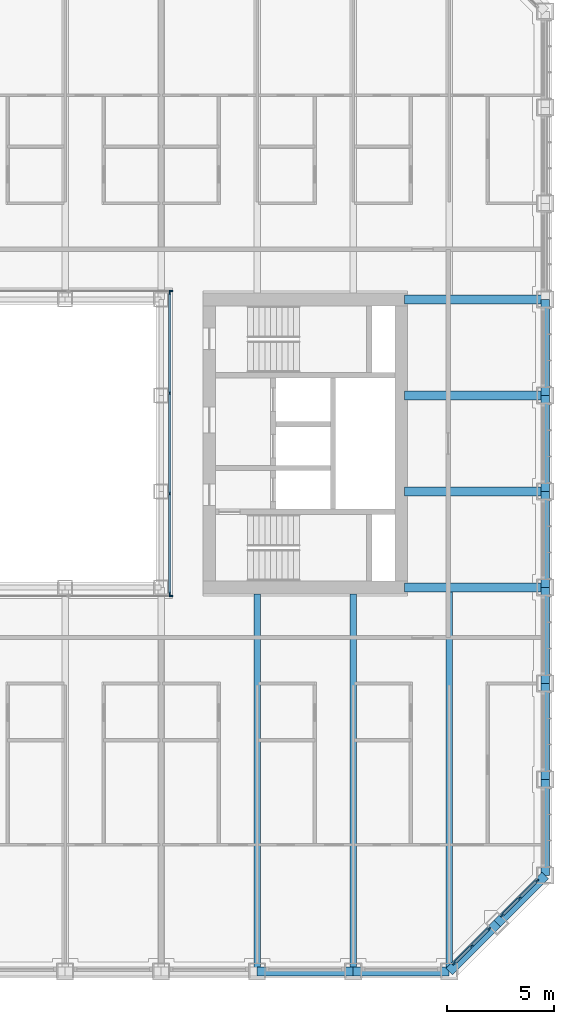
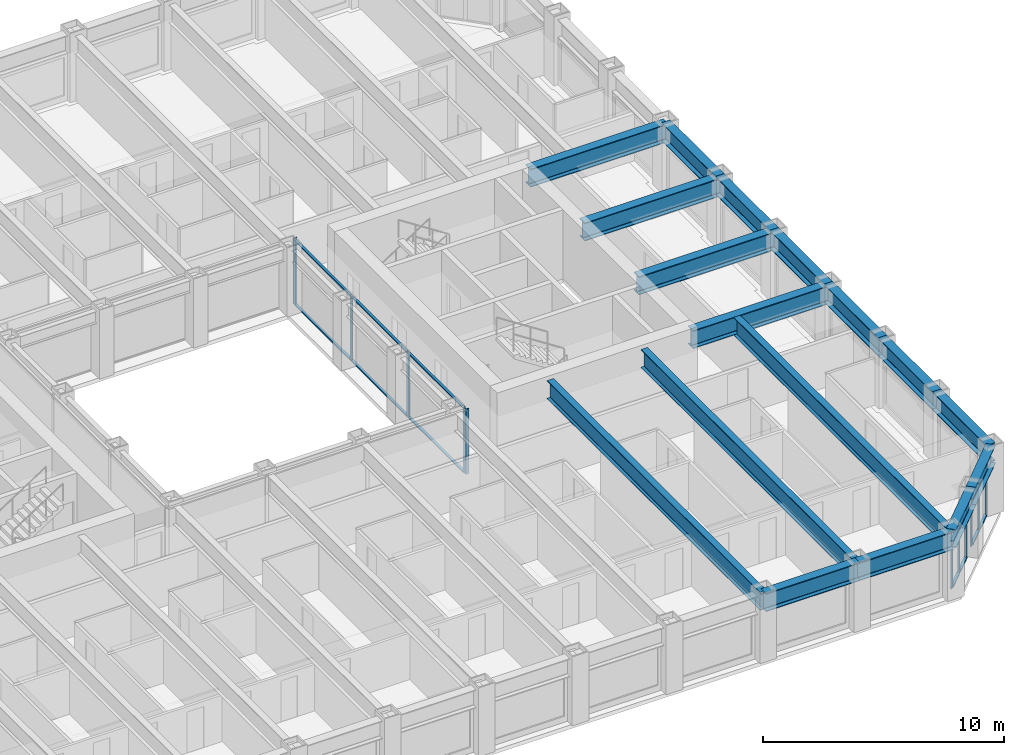
# One storey, part 5 of 21: 26 members, 17 beams, 5 elements without a shape of their own.
"""IFC4 building model written with IfcOpenShell, lengths in metres."""

from ifc_helpers import new_model, si_unit, direction, frame, origin, origin_2d, place, context, subcontext, project, spatial, rectangle, i_section, extrude, material, material_profile, profile_set, type_object, element, aggregate, save


model = new_model("IFC4")

# Units and contexts
model_context = context("Model", 3, precision=1e-05, world=origin(), true_north=direction((0.0, 1.0)))
body_context = subcontext(model_context, "Body", "Model", "MODEL_VIEW")
ifc_project = project(units=[si_unit("LENGTHUNIT", "METRE"), si_unit("AREAUNIT", "SQUARE_METRE"), si_unit("VOLUMEUNIT", "CUBIC_METRE"), si_unit("PLANEANGLEUNIT", "RADIAN"), si_unit("MASSUNIT", "GRAM", prefix="KILO")], contexts=[model_context])

# Site, building, storey
site_placement = place(None, origin())
site = spatial("IfcSite", under=ifc_project, at=site_placement, CompositionType="ELEMENT")
building_placement = place(site_placement, origin())
building = spatial("IfcBuilding", under=site, at=building_placement, Name="Msasa Ring Tower", CompositionType="ELEMENT")
storey_placement = place(building_placement, frame((0.0, 0.0, 96.5)))
storey = spatial("IfcBuildingStorey", under=building, at=storey_placement, Name="L25", CompositionType="ELEMENT", Elevation=96.5)

# Curtain wall, members
ifc_material_1 = material(Name="Aluminium curtain wall with clear glass", Category="aluminium")
curtain_wall_type_1 = type_object("IfcCurtainWallType", Name="CW-C CHAMFER CORNER CURTAIN WALL", PredefinedType="NOTDEFINED", material=ifc_material_1)
curtain_wall_1_placement = place(storey_placement, origin())
curtain_wall_1 = element("IfcCurtainWall", 1, at=curtain_wall_1_placement, inside=storey, type_object=curtain_wall_type_1, Name="Chamfer corner curtain wall SE L25", PredefinedType="NOTDEFINED")
ifc_material_2 = material(Name="Aluminium mullion", Category="aluminium")
ifc_material_profile_1 = material_profile(ifc_material_2, rectangle(XDim=0.06494140625, YDim=0.179931640625, at=origin_2d()), Name="AL 65x180")
ifc_profile_set_1 = profile_set([ifc_material_profile_1], Name="Aluminium mullion")
member_type_1 = type_object("IfcMemberType", Name="CW-C MULLION 65x180", PredefinedType="MULLION", material=ifc_profile_set_1)
member_1_placement = place(storey_placement, frame((20.48876953125, -24.369873046875, 0.0), z_axis=(0.0, 0.0, 1.0), x_axis=(-0.707106781187, 0.707106781187, 0.0)))
member_1 = element("IfcMember", 2, at=member_1_placement, type_object=member_type_1, Name="CW-C mullion 1", PredefinedType="MULLION", context=body_context, shape_type="SweptSolid", body=[
    extrude(rectangle(XDim=0.06494140625, YDim=0.179931640625, at=origin_2d()), origin(), (0.0, 0.0, 1.0), 2.37890625),
])
member_2_placement = place(storey_placement, frame((21.30419921875, -23.55419921875, 0.0), z_axis=(0.0, 0.0, 1.0), x_axis=(-0.707106781187, 0.707106781187, 0.0)))
member_2 = element("IfcMember", 3, at=member_2_placement, type_object=member_type_1, Name="CW-C mullion 2", PredefinedType="MULLION", context=body_context, shape_type="SweptSolid", body=[
    extrude(rectangle(XDim=0.06494140625, YDim=0.179931640625, at=origin_2d()), origin(), (0.0, 0.0, 1.0), 2.37890625),
])
member_3_placement = place(storey_placement, frame((22.119873046875, -22.73876953125, 0.0), z_axis=(0.0, 0.0, 1.0), x_axis=(-0.707106781187, 0.707106781187, 0.0)))
member_3 = element("IfcMember", 4, at=member_3_placement, type_object=member_type_1, Name="CW-C mullion 3", PredefinedType="MULLION", context=body_context, shape_type="SweptSolid", body=[
    extrude(rectangle(XDim=0.06494140625, YDim=0.179931640625, at=origin_2d()), origin(), (0.0, 0.0, 1.0), 2.37890625),
])

curtain_wall_2_placement = place(storey_placement, origin())
curtain_wall_2 = element("IfcCurtainWall", 5, at=curtain_wall_2_placement, inside=storey, type_object=curtain_wall_type_1, Name="Chamfer corner curtain wall SE L25", PredefinedType="NOTDEFINED")
member_4_placement = place(storey_placement, frame((22.73876953125, -22.119873046875, 0.0), z_axis=(0.0, 0.0, 1.0), x_axis=(-0.707106781187, 0.707106781187, 0.0)))
member_4 = element("IfcMember", 6, at=member_4_placement, type_object=member_type_1, Name="CW-C mullion 1", PredefinedType="MULLION", context=body_context, shape_type="SweptSolid", body=[
    extrude(rectangle(XDim=0.06494140625, YDim=0.179931640625, at=origin_2d()), origin(), (0.0, 0.0, 1.0), 2.37890625),
])
member_5_placement = place(storey_placement, frame((23.55419921875, -21.30419921875, 0.0), z_axis=(0.0, 0.0, 1.0), x_axis=(-0.707106781187, 0.707106781187, 0.0)))
member_5 = element("IfcMember", 7, at=member_5_placement, type_object=member_type_1, Name="CW-C mullion 2", PredefinedType="MULLION", context=body_context, shape_type="SweptSolid", body=[
    extrude(rectangle(XDim=0.06494140625, YDim=0.179931640625, at=origin_2d()), origin(), (0.0, 0.0, 1.0), 2.37890625),
])
member_6_placement = place(storey_placement, frame((24.369873046875, -20.48876953125, 0.0), z_axis=(0.0, 0.0, 1.0), x_axis=(-0.707106781187, 0.707106781187, 0.0)))
member_6 = element("IfcMember", 8, at=member_6_placement, type_object=member_type_1, Name="CW-C mullion 3", PredefinedType="MULLION", context=body_context, shape_type="SweptSolid", body=[
    extrude(rectangle(XDim=0.06494140625, YDim=0.179931640625, at=origin_2d()), origin(), (0.0, 0.0, 1.0), 2.37890625),
])

# Member
ifc_material_3 = material(Name="Aluminium transom", Category="aluminium")
ifc_material_profile_2 = material_profile(ifc_material_3, rectangle(XDim=0.139892578125, YDim=0.06494140625, at=origin_2d()), Name="AL 65x140")
ifc_profile_set_2 = profile_set([ifc_material_profile_2], Name="Aluminium transom")
member_type_2 = type_object("IfcMemberType", Name="CW-C TRANSOM 65x140", PredefinedType="USERDEFINED", material=ifc_profile_set_2)
member_7_placement = place(storey_placement, frame((20.51171875, -24.346923828125, 0.032470703125), z_axis=(0.707106781187, 0.707106781187, 0.0), x_axis=(-0.707106781187, 0.707106781187, 0.0)))
member_7 = element("IfcMember", 9, at=member_7_placement, type_object=member_type_2, Name="CW-C transom 1.1", ObjectType="TRANSOM", PredefinedType="USERDEFINED", context=body_context, shape_type="SweptSolid", body=[
    extrude(rectangle(XDim=0.139892578125, YDim=0.06494140625, at=origin_2d()), origin(), (0.0, 0.0, 1.0), 1.08837890625),
])

member_8_placement = place(storey_placement, frame((20.51171875, -24.346923828125, 2.346435546875), z_axis=(0.707106781187, 0.707106781187, 0.0), x_axis=(-0.707106781187, 0.707106781187, 0.0)))
member_8 = element("IfcMember", 10, at=member_8_placement, type_object=member_type_2, Name="CW-C transom 1.2", ObjectType="TRANSOM", PredefinedType="USERDEFINED", context=body_context, shape_type="SweptSolid", body=[
    extrude(rectangle(XDim=0.139892578125, YDim=0.06494140625, at=origin_2d()), origin(), (0.0, 0.0, 1.0), 1.08837890625),
])

member_9_placement = place(storey_placement, frame((21.327392578125, -23.53125, 0.032470703125), z_axis=(0.707106781187, 0.707106781187, 0.0), x_axis=(-0.707106781187, 0.707106781187, 0.0)))
member_9 = element("IfcMember", 11, at=member_9_placement, type_object=member_type_2, Name="CW-C transom 2.1", ObjectType="TRANSOM", PredefinedType="USERDEFINED", context=body_context, shape_type="SweptSolid", body=[
    extrude(rectangle(XDim=0.139892578125, YDim=0.06494140625, at=origin_2d()), origin(), (0.0, 0.0, 1.0), 1.08837890625),
])

member_10_placement = place(storey_placement, frame((21.327392578125, -23.53125, 2.346435546875), z_axis=(0.707106781187, 0.707106781187, 0.0), x_axis=(-0.707106781187, 0.707106781187, 0.0)))
member_10 = element("IfcMember", 12, at=member_10_placement, type_object=member_type_2, Name="CW-C transom 2.2", ObjectType="TRANSOM", PredefinedType="USERDEFINED", context=body_context, shape_type="SweptSolid", body=[
    extrude(rectangle(XDim=0.139892578125, YDim=0.06494140625, at=origin_2d()), origin(), (0.0, 0.0, 1.0), 1.08837890625),
])

aggregate(curtain_wall_1, [member_1, member_2, member_3, member_7, member_8, member_9, member_10])

member_11_placement = place(storey_placement, frame((22.76171875, -22.096923828125, 0.032470703125), z_axis=(0.707106781187, 0.707106781187, 0.0), x_axis=(-0.707106781187, 0.707106781187, 0.0)))
member_11 = element("IfcMember", 13, at=member_11_placement, type_object=member_type_2, Name="CW-C transom 1.1", ObjectType="TRANSOM", PredefinedType="USERDEFINED", context=body_context, shape_type="SweptSolid", body=[
    extrude(rectangle(XDim=0.139892578125, YDim=0.06494140625, at=origin_2d()), origin(), (0.0, 0.0, 1.0), 1.08837890625),
])

member_12_placement = place(storey_placement, frame((22.76171875, -22.096923828125, 2.346435546875), z_axis=(0.707106781187, 0.707106781187, 0.0), x_axis=(-0.707106781187, 0.707106781187, 0.0)))
member_12 = element("IfcMember", 14, at=member_12_placement, type_object=member_type_2, Name="CW-C transom 1.2", ObjectType="TRANSOM", PredefinedType="USERDEFINED", context=body_context, shape_type="SweptSolid", body=[
    extrude(rectangle(XDim=0.139892578125, YDim=0.06494140625, at=origin_2d()), origin(), (0.0, 0.0, 1.0), 1.08837890625),
])

member_13_placement = place(storey_placement, frame((23.577392578125, -21.28125, 0.032470703125), z_axis=(0.707106781187, 0.707106781187, 0.0), x_axis=(-0.707106781187, 0.707106781187, 0.0)))
member_13 = element("IfcMember", 15, at=member_13_placement, type_object=member_type_2, Name="CW-C transom 2.1", ObjectType="TRANSOM", PredefinedType="USERDEFINED", context=body_context, shape_type="SweptSolid", body=[
    extrude(rectangle(XDim=0.139892578125, YDim=0.06494140625, at=origin_2d()), origin(), (0.0, 0.0, 1.0), 1.08837890625),
])

member_14_placement = place(storey_placement, frame((23.577392578125, -21.28125, 2.346435546875), z_axis=(0.707106781187, 0.707106781187, 0.0), x_axis=(-0.707106781187, 0.707106781187, 0.0)))
member_14 = element("IfcMember", 16, at=member_14_placement, type_object=member_type_2, Name="CW-C transom 2.2", ObjectType="TRANSOM", PredefinedType="USERDEFINED", context=body_context, shape_type="SweptSolid", body=[
    extrude(rectangle(XDim=0.139892578125, YDim=0.06494140625, at=origin_2d()), origin(), (0.0, 0.0, 1.0), 1.08837890625),
])

aggregate(curtain_wall_2, [member_4, member_5, member_6, member_11, member_12, member_13, member_14])

# Curtain wall, member
ifc_material_4 = material(Name="Aluminium curtain wall with clear glass", Category="aluminium")
curtain_wall_type_2 = type_object("IfcCurtainWallType", Name="CW-W LIGHT WELL CURTAIN WALL", PredefinedType="NOTDEFINED", material=ifc_material_4)
curtain_wall_3_placement = place(storey_placement, origin())
curtain_wall_3 = element("IfcCurtainWall", 17, at=curtain_wall_3_placement, inside=storey, type_object=curtain_wall_type_2, Name="Light well curtain wall N L25", PredefinedType="NOTDEFINED")
ifc_material_5 = material(Name="Aluminium mullion", Category="aluminium")
ifc_material_profile_3 = material_profile(ifc_material_5, rectangle(XDim=0.06005859375, YDim=0.159912109375, at=origin_2d()), Name="AL 60x160")
ifc_profile_set_3 = profile_set([ifc_material_profile_3], Name="Aluminium mullion")
member_type_3 = type_object("IfcMemberType", Name="CW-W MULLION 60x160", PredefinedType="MULLION", material=ifc_profile_set_3)
member_15_placement = place(storey_placement, frame((7.199951171875, 7.14990234375, 0.0), z_axis=(0.0, 0.0, 1.0), x_axis=(0.0, 1.0, 0.0)))
member_15 = element("IfcMember", 18, at=member_15_placement, type_object=member_type_3, Name="CW-W mullion 4", PredefinedType="MULLION", context=body_context, shape_type="SweptSolid", body=[
    extrude(rectangle(XDim=0.06005859375, YDim=0.159912109375, at=origin_2d()), origin(), (0.0, 0.0, 1.0), 3.300048828125),
])
aggregate(curtain_wall_3, [member_15])

curtain_wall_4_placement = place(storey_placement, origin())
curtain_wall_4 = element("IfcCurtainWall", 19, at=curtain_wall_4_placement, inside=storey, type_object=curtain_wall_type_2, Name="Light well curtain wall S L25", PredefinedType="NOTDEFINED")
member_16_placement = place(storey_placement, frame((7.199951171875, -7.14990234375, 0.0), z_axis=(0.0, 0.0, 1.0), x_axis=(0.0, 1.0, 0.0)))
member_16 = element("IfcMember", 20, at=member_16_placement, type_object=member_type_3, Name="CW-W mullion 4", PredefinedType="MULLION", context=body_context, shape_type="SweptSolid", body=[
    extrude(rectangle(XDim=0.06005859375, YDim=0.159912109375, at=origin_2d()), origin(), (0.0, 0.0, 1.0), 3.300048828125),
])
aggregate(curtain_wall_4, [member_16])

# Curtain wall, members
curtain_wall_5_placement = place(storey_placement, origin())
curtain_wall_5 = element("IfcCurtainWall", 21, at=curtain_wall_5_placement, inside=storey, type_object=curtain_wall_type_2, Name="Light well curtain wall E L25", PredefinedType="NOTDEFINED")
member_17_placement = place(storey_placement, frame((7.14990234375, -7.0400390625, 0.0), z_axis=(0.0, 0.0, 1.0), x_axis=(-1.0, 0.0, 0.0)))
member_17 = element("IfcMember", 22, at=member_17_placement, type_object=member_type_3, Name="CW-W mullion 1", PredefinedType="MULLION", context=body_context, shape_type="SweptSolid", body=[
    extrude(rectangle(XDim=0.06005859375, YDim=0.159912109375, at=origin_2d()), origin(), (0.0, 0.0, 1.0), 3.300048828125),
])
member_18_placement = place(storey_placement, frame((7.14990234375, -2.356689453125, 0.0), z_axis=(0.0, 0.0, 1.0), x_axis=(-1.0, 0.0, 0.0)))
member_18 = element("IfcMember", 23, at=member_18_placement, type_object=member_type_3, Name="CW-W mullion 2", PredefinedType="MULLION", context=body_context, shape_type="SweptSolid", body=[
    extrude(rectangle(XDim=0.06005859375, YDim=0.159912109375, at=origin_2d()), origin(), (0.0, 0.0, 1.0), 3.300048828125),
])
member_19_placement = place(storey_placement, frame((7.14990234375, 2.356689453125, 0.0), z_axis=(0.0, 0.0, 1.0), x_axis=(-1.0, 0.0, 0.0)))
member_19 = element("IfcMember", 24, at=member_19_placement, type_object=member_type_3, Name="CW-W mullion 3", PredefinedType="MULLION", context=body_context, shape_type="SweptSolid", body=[
    extrude(rectangle(XDim=0.06005859375, YDim=0.159912109375, at=origin_2d()), origin(), (0.0, 0.0, 1.0), 3.300048828125),
])
member_20_placement = place(storey_placement, frame((7.14990234375, 7.0400390625, 0.0), z_axis=(0.0, 0.0, 1.0), x_axis=(-1.0, 0.0, 0.0)))
member_20 = element("IfcMember", 25, at=member_20_placement, type_object=member_type_3, Name="CW-W mullion 4", PredefinedType="MULLION", context=body_context, shape_type="SweptSolid", body=[
    extrude(rectangle(XDim=0.06005859375, YDim=0.159912109375, at=origin_2d()), origin(), (0.0, 0.0, 1.0), 3.300048828125),
])
ifc_material_6 = material(Name="Aluminium transom", Category="aluminium")
ifc_material_profile_4 = material_profile(ifc_material_6, rectangle(XDim=0.1201171875, YDim=0.06005859375, at=origin_2d()), Name="AL 60x120")
ifc_profile_set_4 = profile_set([ifc_material_profile_4], Name="Aluminium transom")
member_type_4 = type_object("IfcMemberType", Name="CW-W TRANSOM 60x120", PredefinedType="USERDEFINED", material=ifc_profile_set_4)
member_21_placement = place(storey_placement, frame((7.14990234375, -7.010009765625, 0.030029296875), z_axis=(0.0, 1.0, 0.0), x_axis=(-1.0, 0.0, 0.0)))
member_21 = element("IfcMember", 26, at=member_21_placement, type_object=member_type_4, Name="CW-W transom 1.1", ObjectType="TRANSOM", PredefinedType="USERDEFINED", context=body_context, shape_type="SweptSolid", body=[
    extrude(rectangle(XDim=0.1201171875, YDim=0.06005859375, at=origin_2d()), origin(), (0.0, 0.0, 1.0), 4.623291015625),
])
member_22_placement = place(storey_placement, frame((7.14990234375, -7.010009765625, 3.27001953125), z_axis=(0.0, 1.0, 0.0), x_axis=(-1.0, 0.0, 0.0)))
member_22 = element("IfcMember", 27, at=member_22_placement, type_object=member_type_4, Name="CW-W transom 1.2", ObjectType="TRANSOM", PredefinedType="USERDEFINED", context=body_context, shape_type="SweptSolid", body=[
    extrude(rectangle(XDim=0.1201171875, YDim=0.06005859375, at=origin_2d()), origin(), (0.0, 0.0, 1.0), 4.623291015625),
])
member_23_placement = place(storey_placement, frame((7.14990234375, -2.32666015625, 0.030029296875), z_axis=(0.0, 1.0, 0.0), x_axis=(-1.0, 0.0, 0.0)))
member_23 = element("IfcMember", 28, at=member_23_placement, type_object=member_type_4, Name="CW-W transom 2.1", ObjectType="TRANSOM", PredefinedType="USERDEFINED", context=body_context, shape_type="SweptSolid", body=[
    extrude(rectangle(XDim=0.1201171875, YDim=0.06005859375, at=origin_2d()), origin(), (0.0, 0.0, 1.0), 4.6533203125),
])
member_24_placement = place(storey_placement, frame((7.14990234375, -2.32666015625, 3.27001953125), z_axis=(0.0, 1.0, 0.0), x_axis=(-1.0, 0.0, 0.0)))
member_24 = element("IfcMember", 29, at=member_24_placement, type_object=member_type_4, Name="CW-W transom 2.2", ObjectType="TRANSOM", PredefinedType="USERDEFINED", context=body_context, shape_type="SweptSolid", body=[
    extrude(rectangle(XDim=0.1201171875, YDim=0.06005859375, at=origin_2d()), origin(), (0.0, 0.0, 1.0), 4.6533203125),
])
member_25_placement = place(storey_placement, frame((7.14990234375, 2.38671875, 0.030029296875), z_axis=(0.0, 1.0, 0.0), x_axis=(-1.0, 0.0, 0.0)))
member_25 = element("IfcMember", 30, at=member_25_placement, type_object=member_type_4, Name="CW-W transom 3.1", ObjectType="TRANSOM", PredefinedType="USERDEFINED", context=body_context, shape_type="SweptSolid", body=[
    extrude(rectangle(XDim=0.1201171875, YDim=0.06005859375, at=origin_2d()), origin(), (0.0, 0.0, 1.0), 4.623291015625),
])
member_26_placement = place(storey_placement, frame((7.14990234375, 2.38671875, 3.27001953125), z_axis=(0.0, 1.0, 0.0), x_axis=(-1.0, 0.0, 0.0)))
member_26 = element("IfcMember", 31, at=member_26_placement, type_object=member_type_4, Name="CW-W transom 3.2", ObjectType="TRANSOM", PredefinedType="USERDEFINED", context=body_context, shape_type="SweptSolid", body=[
    extrude(rectangle(XDim=0.1201171875, YDim=0.06005859375, at=origin_2d()), origin(), (0.0, 0.0, 1.0), 4.623291015625),
])
aggregate(curtain_wall_5, [member_17, member_18, member_19, member_20, member_21, member_22, member_23, member_24, member_25, member_26])

# Beams
ifc_material_7 = material(Name="Steel S355", Category="steel")
ifc_material_profile_5 = material_profile(ifc_material_7, i_section(OverallWidth=0.42041015625, OverallDepth=0.9208984375, WebThickness=0.021484375, FlangeThickness=0.03662109375, FilletRadius=0.024169921875, at=origin_2d()), Name="UB 914x419x388")
ifc_profile_set_5 = profile_set([ifc_material_profile_5], Name="Steel S355")
beam_type_1 = type_object("IfcBeamType", Name="FB2 UB 914x419x388", PredefinedType="BEAM", material=ifc_profile_set_5)
for number, where, z_axis, x_axis, name in (
    (32, (24.75, -2.25, 2.839599609375), (-1.0, 0.0, 0.0), (0.0, -1.0, 0.0), "Floor beam E -2.25 under L26"),
    (33, (24.75, 2.25, 2.839599609375), (-1.0, 0.0, 0.0), (0.0, -1.0, 0.0), "Floor beam E +2.25 under L26"),
):
    element("IfcBeam", number, at=place(storey_placement, frame(where, z_axis=z_axis, x_axis=x_axis)), inside=storey, type_object=beam_type_1, Name=name, PredefinedType="BEAM", context=body_context, shape_type="SweptSolid", body=[
        extrude(i_section(OverallWidth=0.42041015625, OverallDepth=0.9208984375, WebThickness=0.021484375, FlangeThickness=0.03662109375, FilletRadius=0.024169921875, at=origin_2d()), origin(), (0.0, 0.0, 1.0), 6.60009765625),
    ])
ifc_material_8 = material(Name="Steel S355", Category="steel")
ifc_material_profile_6 = material_profile(ifc_material_8, i_section(OverallWidth=0.3076171875, OverallDepth=0.926513671875, WebThickness=0.01953125, FlangeThickness=0.031982421875, FilletRadius=0.01904296875, at=origin_2d()), Name="UB 914x305x289")
ifc_profile_set_6 = profile_set([ifc_material_profile_6], Name="Steel S355")
beam_type_2 = type_object("IfcBeamType", Name="FB3 UB 914x305x289", PredefinedType="BEAM", material=ifc_profile_set_6)
for number, where, z_axis, x_axis, name in (
    (34, (11.25, -24.75, 2.836669921875), (0.0, 1.0, 0.0), (-1.0, 0.0, 0.0), "Floor beam S+11.25 under L26"),
    (35, (15.75, -24.75, 2.836669921875), (0.0, 1.0, 0.0), (-1.0, 0.0, 0.0), "Floor beam S+15.75 under L26"),
):
    element("IfcBeam", number, at=place(storey_placement, frame(where, z_axis=z_axis, x_axis=x_axis)), inside=storey, type_object=beam_type_2, Name=name, PredefinedType="BEAM", context=body_context, shape_type="SweptSolid", body=[
        extrude(i_section(OverallWidth=0.3076171875, OverallDepth=0.926513671875, WebThickness=0.01953125, FlangeThickness=0.031982421875, FilletRadius=0.01904296875, at=origin_2d()), origin(), (0.0, 0.0, 1.0), 17.699951171875),
    ])
beam_placement = place(storey_placement, frame((20.25, -24.75, 2.836669921875), z_axis=(0.0, 1.0, 0.0), x_axis=(-1.0, 0.0, 0.0)))
element("IfcBeam", 36, at=beam_placement, inside=storey, type_object=beam_type_2, Name="Floor beam S+20.25 under L26", PredefinedType="BEAM", context=body_context, shape_type="SweptSolid", body=[
    extrude(i_section(OverallWidth=0.3076171875, OverallDepth=0.926513671875, WebThickness=0.01953125, FlangeThickness=0.031982421875, FilletRadius=0.01904296875, at=origin_2d()), origin(), (0.0, 0.0, 1.0), 17.789794921875),
])
ifc_material_9 = material(Name="Steel S355", Category="steel")
ifc_material_profile_7 = material_profile(ifc_material_9, i_section(OverallWidth=0.42041015625, OverallDepth=0.9208984375, WebThickness=0.021484375, FlangeThickness=0.03662109375, FilletRadius=0.024169921875, at=origin_2d()), Name="UB 914x419x388")
ifc_profile_set_7 = profile_set([ifc_material_profile_7], Name="Steel S355")
beam_type_3 = type_object("IfcBeamType", Name="GB1 UB 914x419x388", PredefinedType="BEAM", material=ifc_profile_set_7)
for number, where, z_axis, x_axis, name in (
    (37, (18.14990234375, 6.75, 2.839599609375), (1.0, 0.0, 0.0), (0.0, 1.0, 0.0), "Girder E +6.75 under L26"),
    (38, (18.14990234375, -6.75, 2.839599609375), (1.0, 0.0, 0.0), (0.0, 1.0, 0.0), "Girder E -6.75 under L26"),
):
    element("IfcBeam", number, at=place(storey_placement, frame(where, z_axis=z_axis, x_axis=x_axis)), inside=storey, type_object=beam_type_3, Name=name, PredefinedType="BEAM", context=body_context, shape_type="SweptSolid", body=[
        extrude(i_section(OverallWidth=0.42041015625, OverallDepth=0.9208984375, WebThickness=0.021484375, FlangeThickness=0.03662109375, FilletRadius=0.024169921875, at=origin_2d()), origin(), (0.0, 0.0, 1.0), 6.60009765625),
    ])
ifc_material_10 = material(Name="Steel S355", Category="steel")
ifc_material_profile_8 = material_profile(ifc_material_10, i_section(OverallWidth=0.42041015625, OverallDepth=0.9208984375, WebThickness=0.021484375, FlangeThickness=0.03662109375, FilletRadius=0.024169921875, at=origin_2d()), Name="UB 914x419x388")
ifc_profile_set_8 = profile_set([ifc_material_profile_8], Name="Steel S355")
beam_type_4 = type_object("IfcBeamType", Name="SB1 UB 914x419x388", PredefinedType="SPANDREL", material=ifc_profile_set_8)
for number, where, z_axis, x_axis, name in (
    (39, (11.25, -24.75, 2.839599609375), (1.0, 0.0, 0.0), (0.0, 1.0, 0.0), "Spandrel S+11.25 to S+15.75 under L26"),
    (40, (15.75, -24.75, 2.839599609375), (1.0, 0.0, 0.0), (0.0, 1.0, 0.0), "Spandrel S+15.75 to S+20.25 under L26"),
):
    element("IfcBeam", number, at=place(storey_placement, frame(where, z_axis=z_axis, x_axis=x_axis)), inside=storey, type_object=beam_type_4, Name=name, PredefinedType="SPANDREL", context=body_context, shape_type="SweptSolid", body=[
        extrude(i_section(OverallWidth=0.42041015625, OverallDepth=0.9208984375, WebThickness=0.021484375, FlangeThickness=0.03662109375, FilletRadius=0.024169921875, at=origin_2d()), origin(), (0.0, 0.0, 1.0), 4.5),
    ])
for number, where, z_axis, x_axis, name in (
    (41, (20.25, -24.75, 2.839599609375), (0.707106781187, 0.707106781187, 0.0), (-0.707106781187, 0.707106781187, 0.0), "Spandrel S+20.25 to SE under L26"),
    (42, (22.5, -22.5, 2.839599609375), (0.707106781187, 0.707106781187, 0.0), (-0.707106781187, 0.707106781187, 0.0), "Spandrel SE to E-20.25 under L26"),
):
    element("IfcBeam", number, at=place(storey_placement, frame(where, z_axis=z_axis, x_axis=x_axis)), inside=storey, type_object=beam_type_4, Name=name, PredefinedType="SPANDREL", context=body_context, shape_type="SweptSolid", body=[
        extrude(i_section(OverallWidth=0.42041015625, OverallDepth=0.9208984375, WebThickness=0.021484375, FlangeThickness=0.03662109375, FilletRadius=0.024169921875, at=origin_2d()), origin(), (0.0, 0.0, 1.0), 3.181884765625),
    ])
for number, where, z_axis, x_axis, name in (
    (43, (24.75, -20.25, 2.839599609375), (0.0, 1.0, 0.0), (-1.0, 0.0, 0.0), "Spandrel E-20.25 to E-15.75 under L26"),
    (44, (24.75, -15.75, 2.839599609375), (0.0, 1.0, 0.0), (-1.0, 0.0, 0.0), "Spandrel E-15.75 to E-11.25 under L26"),
    (45, (24.75, -11.25, 2.839599609375), (0.0, 1.0, 0.0), (-1.0, 0.0, 0.0), "Spandrel E-11.25 to E-6.75 under L26"),
    (46, (24.75, -6.75, 2.839599609375), (0.0, 1.0, 0.0), (-1.0, 0.0, 0.0), "Spandrel E-6.75 to E-2.25 under L26"),
    (47, (24.75, -2.25, 2.839599609375), (0.0, 1.0, 0.0), (-1.0, 0.0, 0.0), "Spandrel E-2.25 to E+2.25 under L26"),
    (48, (24.75, 2.25, 2.839599609375), (0.0, 1.0, 0.0), (-1.0, 0.0, 0.0), "Spandrel E+2.25 to E+6.75 under L26"),
):
    element("IfcBeam", number, at=place(storey_placement, frame(where, z_axis=z_axis, x_axis=x_axis)), inside=storey, type_object=beam_type_4, Name=name, PredefinedType="SPANDREL", context=body_context, shape_type="SweptSolid", body=[
        extrude(i_section(OverallWidth=0.42041015625, OverallDepth=0.9208984375, WebThickness=0.021484375, FlangeThickness=0.03662109375, FilletRadius=0.024169921875, at=origin_2d()), origin(), (0.0, 0.0, 1.0), 4.5),
    ])

save(model, "model.ifc")
